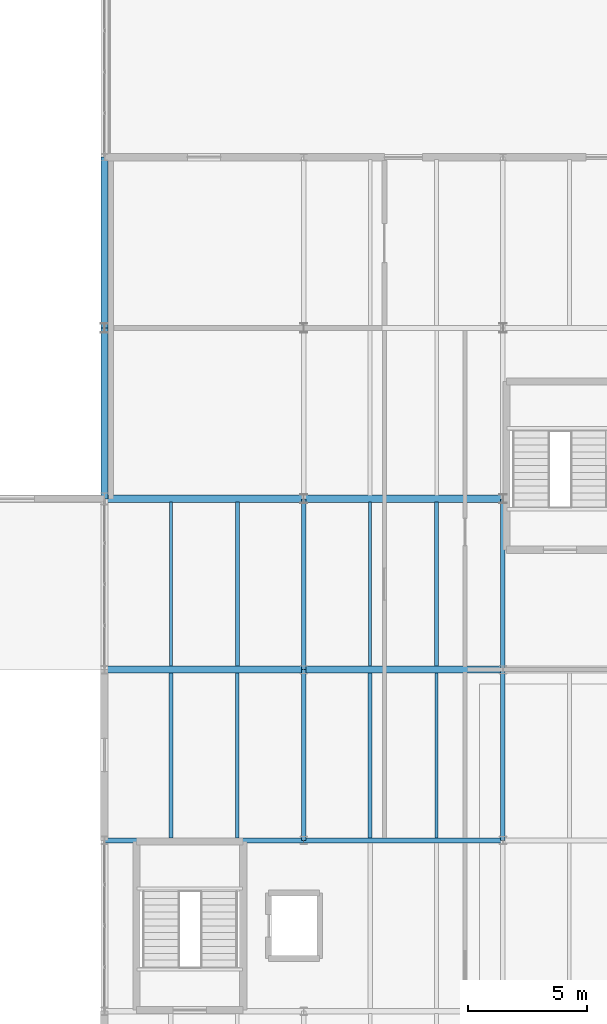
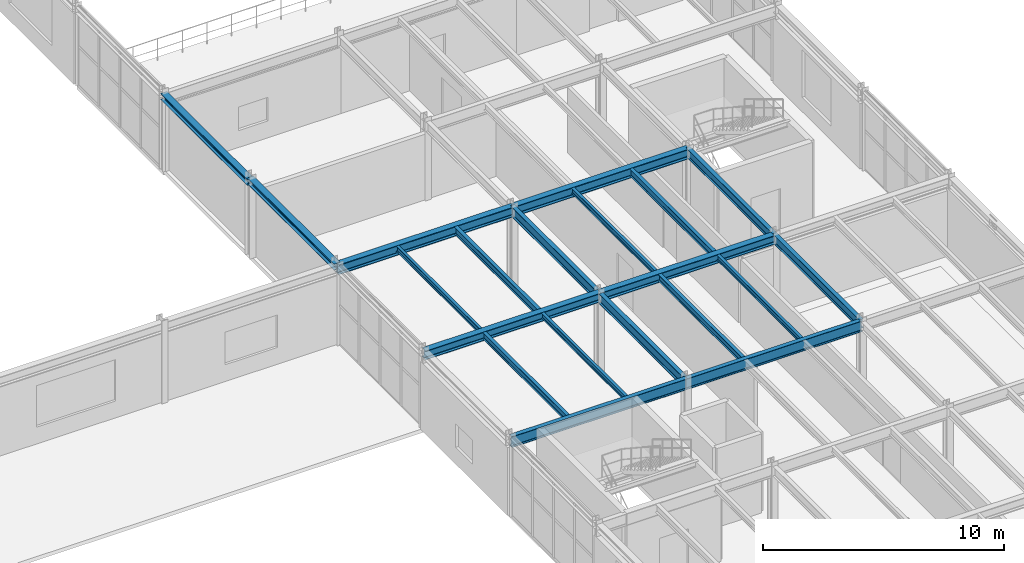
# One storey, part 45 of 73: 20 beams.
"""IFC4 building model written with IfcOpenShell, lengths in metres."""

from ifc_helpers import new_model, si_unit, derived_unit, direction, frame, origin, origin_2d, place, context, subcontext, project, spatial, i_section, extrude, material, material_profile, profile_set, type_object, element, save


model = new_model("IFC4")

# Units and contexts
model_context = context("Model", 3, precision=1e-05, world=origin(), true_north=direction((0.0, 1.0)))
body_context = subcontext(model_context, "Body", "Model", "MODEL_VIEW")
ifc_project = project(units=[si_unit("LENGTHUNIT", "METRE"), si_unit("AREAUNIT", "SQUARE_METRE"), si_unit("VOLUMEUNIT", "CUBIC_METRE"), si_unit("PLANEANGLEUNIT", "RADIAN"), si_unit("MASSUNIT", "GRAM", prefix="KILO"), derived_unit("THERMALTRANSMITTANCEUNIT", [(si_unit("MASSUNIT", "GRAM", prefix="KILO"), 1), (si_unit("TIMEUNIT", "SECOND"), -3), (si_unit("THERMODYNAMICTEMPERATUREUNIT", "KELVIN"), -1)])], contexts=[model_context])

# Site, building, storey
site_placement = place(None, origin())
site = spatial("IfcSite", under=ifc_project, at=site_placement, CompositionType="ELEMENT")
building_placement = place(site_placement, origin())
building = spatial("IfcBuilding", under=site, at=building_placement, Name="Kharveza Railside Sports Centre", CompositionType="ELEMENT")
storey_placement = place(building_placement, frame((0.0, 0.0, 8.699951171875)))
storey = spatial("IfcBuildingStorey", under=building, at=storey_placement, Name="L02", CompositionType="ELEMENT", Elevation=8.699951171875)

# Beams
ifc_material = material(Name="Steel S355J2", Category="steel")
ifc_material_profile_1 = material_profile(ifc_material, i_section(OverallWidth=0.2099609375, OverallDepth=0.550048828125, WebThickness=0.010986328125, FlangeThickness=0.01708984375, FilletRadius=0.02392578125, at=origin_2d()), Name="IPE 550")
ifc_profile_set_1 = profile_set([ifc_material_profile_1], Name="Steel S355J2")
beam_type_1 = type_object("IfcBeamType", Name="BM-G02", PredefinedType="T_BEAM", material=ifc_profile_set_1)
beam_1_placement = place(storey_placement, frame((142.800048828125, 64.800048828125, 3.72509765625), z_axis=(1.0, 0.0, 0.0), x_axis=(0.0, 1.0, 0.0)))
element("IfcBeam", 1, at=beam_1_placement, inside=storey, type_object=beam_type_1, Name="BM-EW-L02-B02-X1428-Y648", PredefinedType="T_BEAM", context=body_context, shape_type="SweptSolid", body=[
    extrude(i_section(OverallWidth=0.2099609375, OverallDepth=0.550048828125, WebThickness=0.010986328125, FlangeThickness=0.01708984375, FilletRadius=0.02392578125, at=origin_2d()), origin(), (0.0, 0.0, 1.0), 8.39990234375),
])
beam_2_placement = place(storey_placement, frame((151.199951171875, 64.800048828125, 3.72509765625), z_axis=(1.0, 0.0, 0.0), x_axis=(0.0, 1.0, 0.0)))
element("IfcBeam", 2, at=beam_2_placement, inside=storey, type_object=beam_type_1, Name="BM-EW-L02-B02-X1512-Y648", PredefinedType="T_BEAM", context=body_context, shape_type="SweptSolid", body=[
    extrude(i_section(OverallWidth=0.2099609375, OverallDepth=0.550048828125, WebThickness=0.010986328125, FlangeThickness=0.01708984375, FilletRadius=0.02392578125, at=origin_2d()), origin(), (0.0, 0.0, 1.0), 8.400146484375),
])
ifc_material_profile_2 = material_profile(ifc_material, i_section(OverallWidth=0.199951171875, OverallDepth=0.5, WebThickness=0.01025390625, FlangeThickness=0.01611328125, FilletRadius=0.02099609375, at=origin_2d()), Name="IPE 500")
ifc_profile_set_2 = profile_set([ifc_material_profile_2], Name="Steel S355J2")
beam_type_2 = type_object("IfcBeamType", Name="BM-G03", PredefinedType="T_BEAM", material=ifc_profile_set_2)
for number, where, z_axis, x_axis, name in (
    (3, (151.199951171875, 64.800048828125, 3.75), (0.0, 1.0, 0.0), (-1.0, 0.0, 0.0), "BM-NS-L02-B03-X1512-Y648"),
    (4, (151.199951171875, 72.0, 3.75), (0.0, 1.0, 0.0), (-1.0, 0.0, 0.0), "BM-NS-L02-B03-X1512-Y720"),
):
    element("IfcBeam", number, at=place(storey_placement, frame(where, z_axis=z_axis, x_axis=x_axis)), inside=storey, type_object=beam_type_2, Name=name, PredefinedType="T_BEAM", context=body_context, shape_type="SweptSolid", body=[
        extrude(i_section(OverallWidth=0.199951171875, OverallDepth=0.5, WebThickness=0.01025390625, FlangeThickness=0.01611328125, FilletRadius=0.02099609375, at=origin_2d()), origin(), (0.0, 0.0, 1.0), 7.199951171875),
    ])
ifc_material_profile_3 = material_profile(ifc_material, i_section(OverallWidth=0.18994140625, OverallDepth=0.449951171875, WebThickness=0.009521484375, FlangeThickness=0.0146484375, FilletRadius=0.02099609375, at=origin_2d()), Name="IPE 450")
ifc_profile_set_3 = profile_set([ifc_material_profile_3], Name="Steel S355J2")
beam_type_3 = type_object("IfcBeamType", Name="BM-G04", PredefinedType="T_BEAM", material=ifc_profile_set_3)
for number, where, z_axis, x_axis, name in (
    (5, (159.60009765625, 64.800048828125, 3.775146484375), (0.0, 1.0, 0.0), (-1.0, 0.0, 0.0), "BM-NS-L02-B04-X1596-Y648"),
    (6, (159.60009765625, 72.0, 3.775146484375), (0.0, 1.0, 0.0), (-1.0, 0.0, 0.0), "BM-NS-L02-B04-X1596-Y720"),
):
    element("IfcBeam", number, at=place(storey_placement, frame(where, z_axis=z_axis, x_axis=x_axis)), inside=storey, type_object=beam_type_3, Name=name, PredefinedType="T_BEAM", context=body_context, shape_type="SweptSolid", body=[
        extrude(i_section(OverallWidth=0.18994140625, OverallDepth=0.449951171875, WebThickness=0.009521484375, FlangeThickness=0.0146484375, FilletRadius=0.02099609375, at=origin_2d()), origin(), (0.0, 0.0, 1.0), 7.199951171875),
    ])
ifc_material_profile_4 = material_profile(ifc_material, i_section(OverallWidth=0.300048828125, OverallDepth=0.5, WebThickness=0.014404296875, FlangeThickness=0.028076171875, FilletRadius=0.027099609375, at=origin_2d()), Name="HEB 500")
ifc_profile_set_4 = profile_set([ifc_material_profile_4], Name="Steel S355J2")
beam_type_4 = type_object("IfcBeamType", Name="BM-G05", PredefinedType="T_BEAM", material=ifc_profile_set_4)
beam_3_placement = place(storey_placement, frame((142.800048828125, 79.199951171875, 3.75), z_axis=(1.0, 0.0, 0.0), x_axis=(0.0, 1.0, 0.0)))
element("IfcBeam", 7, at=beam_3_placement, inside=storey, type_object=beam_type_4, Name="BM-EW-L02-B05-X1428-Y792", PredefinedType="T_BEAM", context=body_context, shape_type="SweptSolid", body=[
    extrude(i_section(OverallWidth=0.300048828125, OverallDepth=0.5, WebThickness=0.014404296875, FlangeThickness=0.028076171875, FilletRadius=0.027099609375, at=origin_2d()), origin(), (0.0, 0.0, 1.0), 8.39990234375),
])
beam_4_placement = place(storey_placement, frame((151.199951171875, 79.199951171875, 3.75), z_axis=(1.0, 0.0, 0.0), x_axis=(0.0, 1.0, 0.0)))
element("IfcBeam", 8, at=beam_4_placement, inside=storey, type_object=beam_type_4, Name="BM-EW-L02-B05-X1512-Y792", PredefinedType="T_BEAM", context=body_context, shape_type="SweptSolid", body=[
    extrude(i_section(OverallWidth=0.300048828125, OverallDepth=0.5, WebThickness=0.014404296875, FlangeThickness=0.028076171875, FilletRadius=0.027099609375, at=origin_2d()), origin(), (0.0, 0.0, 1.0), 8.400146484375),
])
ifc_material_profile_5 = material_profile(ifc_material, i_section(OverallWidth=0.300048828125, OverallDepth=0.449951171875, WebThickness=0.013916015625, FlangeThickness=0.02587890625, FilletRadius=0.027099609375, at=origin_2d()), Name="HEB 450")
ifc_profile_set_5 = profile_set([ifc_material_profile_5], Name="Steel S355J2")
beam_type_5 = type_object("IfcBeamType", Name="BM-G06", PredefinedType="T_BEAM", material=ifc_profile_set_5)
beam_5_placement = place(storey_placement, frame((142.800048828125, 72.0, 3.775146484375), z_axis=(1.0, 0.0, 0.0), x_axis=(0.0, 1.0, 0.0)))
element("IfcBeam", 9, at=beam_5_placement, inside=storey, type_object=beam_type_5, Name="BM-EW-L02-B06-X1428-Y720", PredefinedType="T_BEAM", context=body_context, shape_type="SweptSolid", body=[
    extrude(i_section(OverallWidth=0.300048828125, OverallDepth=0.449951171875, WebThickness=0.013916015625, FlangeThickness=0.02587890625, FilletRadius=0.027099609375, at=origin_2d()), origin(), (0.0, 0.0, 1.0), 8.39990234375),
])
beam_6_placement = place(storey_placement, frame((151.199951171875, 72.0, 3.775146484375), z_axis=(1.0, 0.0, 0.0), x_axis=(0.0, 1.0, 0.0)))
element("IfcBeam", 10, at=beam_6_placement, inside=storey, type_object=beam_type_5, Name="BM-EW-L02-B06-X1512-Y720", PredefinedType="T_BEAM", context=body_context, shape_type="SweptSolid", body=[
    extrude(i_section(OverallWidth=0.300048828125, OverallDepth=0.449951171875, WebThickness=0.013916015625, FlangeThickness=0.02587890625, FilletRadius=0.027099609375, at=origin_2d()), origin(), (0.0, 0.0, 1.0), 8.400146484375),
])
ifc_material_profile_6 = material_profile(ifc_material, i_section(OverallWidth=0.169921875, OverallDepth=0.360107421875, WebThickness=0.008056640625, FlangeThickness=0.0126953125, FilletRadius=0.01806640625, at=origin_2d()), Name="IPE 360")
ifc_profile_set_6 = profile_set([ifc_material_profile_6], Name="Steel S355J2")
beam_type_6 = type_object("IfcBeamType", Name="BM-S02", PredefinedType="BEAM", material=ifc_profile_set_6)
for number, where, z_axis, x_axis, name in (
    (11, (148.39990234375, 72.14697265625, 3.820068359375), (0.0, 1.0, 0.0), (-1.0, 0.0, 0.0), "BM-SEC-L02-B10-X1484-Y720"),
    (12, (156.800048828125, 72.14697265625, 3.820068359375), (0.0, 1.0, 0.0), (-1.0, 0.0, 0.0), "BM-SEC-L02-B10-X1568-Y720"),
):
    element("IfcBeam", number, at=place(storey_placement, frame(where, z_axis=z_axis, x_axis=x_axis)), inside=storey, type_object=beam_type_6, Name=name, PredefinedType="BEAM", context=body_context, shape_type="SweptSolid", body=[
        extrude(i_section(OverallWidth=0.169921875, OverallDepth=0.360107421875, WebThickness=0.008056640625, FlangeThickness=0.0126953125, FilletRadius=0.01806640625, at=origin_2d()), origin(), (0.0, 0.0, 1.0), 6.906005859375),
    ])
ifc_material_profile_7 = material_profile(ifc_material, i_section(OverallWidth=0.159912109375, OverallDepth=0.330078125, WebThickness=0.007568359375, FlangeThickness=0.011474609375, FilletRadius=0.01806640625, at=origin_2d()), Name="IPE 330")
ifc_profile_set_7 = profile_set([ifc_material_profile_7], Name="Steel S355J2")
beam_type_7 = type_object("IfcBeamType", Name="BM-S03", PredefinedType="BEAM", material=ifc_profile_set_7)
for number, where, z_axis, x_axis, name in (
    (13, (145.60009765625, 64.902099609375, 3.8349609375), (0.0, 1.0, 0.0), (-1.0, 0.0, 0.0), "BM-SEC-L02-B11-X1456-Y648"),
    (14, (154.0, 64.902099609375, 3.8349609375), (0.0, 1.0, 0.0), (-1.0, 0.0, 0.0), "BM-SEC-L02-B11-X1540-Y648"),
):
    element("IfcBeam", number, at=place(storey_placement, frame(where, z_axis=z_axis, x_axis=x_axis)), inside=storey, type_object=beam_type_7, Name=name, PredefinedType="BEAM", context=body_context, shape_type="SweptSolid", body=[
        extrude(i_section(OverallWidth=0.159912109375, OverallDepth=0.330078125, WebThickness=0.007568359375, FlangeThickness=0.011474609375, FilletRadius=0.01806640625, at=origin_2d()), origin(), (0.0, 0.0, 1.0), 6.950927734375),
    ])
ifc_material_profile_8 = material_profile(ifc_material, i_section(OverallWidth=0.135009765625, OverallDepth=0.27001953125, WebThickness=0.006591796875, FlangeThickness=0.01025390625, FilletRadius=0.014892578125, at=origin_2d()), Name="IPE 270")
ifc_profile_set_8 = profile_set([ifc_material_profile_8], Name="Steel S355J2")
beam_type_8 = type_object("IfcBeamType", Name="BM-S05", PredefinedType="BEAM", material=ifc_profile_set_8)
beam_7_placement = place(storey_placement, frame((148.39990234375, 64.902099609375, 3.864990234375), z_axis=(0.0, 1.0, 0.0), x_axis=(-1.0, 0.0, 0.0)))
element("IfcBeam", 15, at=beam_7_placement, inside=storey, type_object=beam_type_8, Name="BM-SEC-L02-B13-X1484-Y648", PredefinedType="BEAM", context=body_context, shape_type="SweptSolid", body=[
    extrude(i_section(OverallWidth=0.135009765625, OverallDepth=0.27001953125, WebThickness=0.006591796875, FlangeThickness=0.01025390625, FilletRadius=0.014892578125, at=origin_2d()), origin(), (0.0, 0.0, 1.0), 6.950927734375),
])
beam_8_placement = place(storey_placement, frame((145.60009765625, 72.14697265625, 3.864990234375), z_axis=(0.0, 1.0, 0.0), x_axis=(-1.0, 0.0, 0.0)))
element("IfcBeam", 16, at=beam_8_placement, inside=storey, type_object=beam_type_8, Name="BM-SEC-L02-B13-X1456-Y720", PredefinedType="BEAM", context=body_context, shape_type="SweptSolid", body=[
    extrude(i_section(OverallWidth=0.135009765625, OverallDepth=0.27001953125, WebThickness=0.006591796875, FlangeThickness=0.01025390625, FilletRadius=0.014892578125, at=origin_2d()), origin(), (0.0, 0.0, 1.0), 6.906005859375),
])
beam_9_placement = place(storey_placement, frame((156.800048828125, 64.902099609375, 3.864990234375), z_axis=(0.0, 1.0, 0.0), x_axis=(-1.0, 0.0, 0.0)))
element("IfcBeam", 17, at=beam_9_placement, inside=storey, type_object=beam_type_8, Name="BM-SEC-L02-B13-X1568-Y648", PredefinedType="BEAM", context=body_context, shape_type="SweptSolid", body=[
    extrude(i_section(OverallWidth=0.135009765625, OverallDepth=0.27001953125, WebThickness=0.006591796875, FlangeThickness=0.01025390625, FilletRadius=0.014892578125, at=origin_2d()), origin(), (0.0, 0.0, 1.0), 6.950927734375),
])
beam_10_placement = place(storey_placement, frame((154.0, 72.14697265625, 3.864990234375), z_axis=(0.0, 1.0, 0.0), x_axis=(-1.0, 0.0, 0.0)))
element("IfcBeam", 18, at=beam_10_placement, inside=storey, type_object=beam_type_8, Name="BM-SEC-L02-B13-X1540-Y720", PredefinedType="BEAM", context=body_context, shape_type="SweptSolid", body=[
    extrude(i_section(OverallWidth=0.135009765625, OverallDepth=0.27001953125, WebThickness=0.006591796875, FlangeThickness=0.01025390625, FilletRadius=0.014892578125, at=origin_2d()), origin(), (0.0, 0.0, 1.0), 6.906005859375),
])
ifc_material_profile_9 = material_profile(ifc_material, i_section(OverallWidth=0.300048828125, OverallDepth=0.31005859375, WebThickness=0.009033203125, FlangeThickness=0.015380859375, FilletRadius=0.027099609375, at=origin_2d()), Name="HEA 320")
ifc_profile_set_9 = profile_set([ifc_material_profile_9], Name="Steel S355J2")
beam_type_9 = type_object("IfcBeamType", Name="BM-S06", PredefinedType="BEAM", material=ifc_profile_set_9)
beam_11_placement = place(storey_placement, frame((142.800048828125, 79.199951171875, 3.844970703125), z_axis=(0.0, 1.0, 0.0), x_axis=(-1.0, 0.0, 0.0)))
element("IfcBeam", 19, at=beam_11_placement, inside=storey, type_object=beam_type_9, Name="BM-NS-L02-B14-X1428-Y792", PredefinedType="BEAM", context=body_context, shape_type="SweptSolid", body=[
    extrude(i_section(OverallWidth=0.300048828125, OverallDepth=0.31005859375, WebThickness=0.009033203125, FlangeThickness=0.015380859375, FilletRadius=0.027099609375, at=origin_2d()), origin(), (0.0, 0.0, 1.0), 7.199951171875),
])
beam_12_placement = place(storey_placement, frame((142.800048828125, 86.39990234375, 3.76513671875), z_axis=(0.0, 1.0, 0.0), x_axis=(-1.0, 0.0, 0.0)))
element("IfcBeam", 20, at=beam_12_placement, inside=storey, type_object=beam_type_9, Name="BM-NS-L02-B14-X1428-Y864", PredefinedType="BEAM", context=body_context, shape_type="SweptSolid", body=[
    extrude(i_section(OverallWidth=0.300048828125, OverallDepth=0.31005859375, WebThickness=0.009033203125, FlangeThickness=0.015380859375, FilletRadius=0.027099609375, at=origin_2d()), origin(), (0.0, 0.0, 1.0), 7.2001953125),
])

save(model, "model.ifc")
